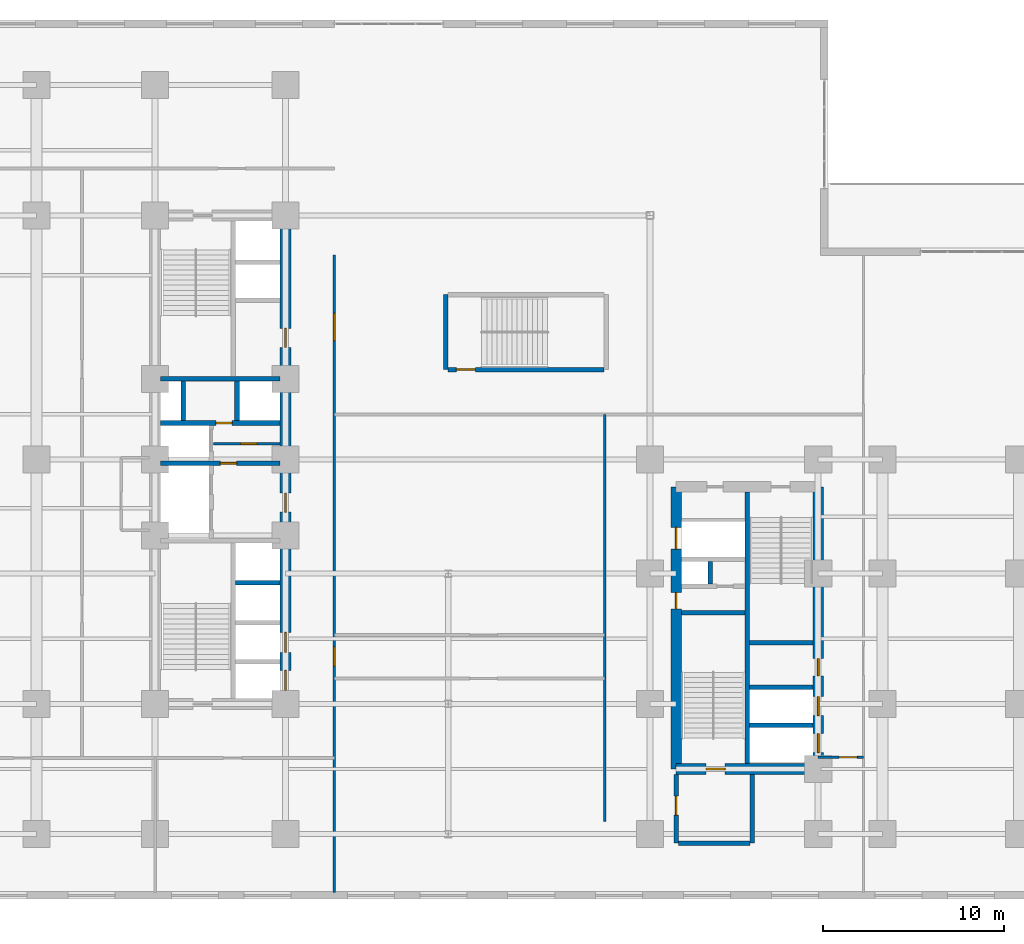
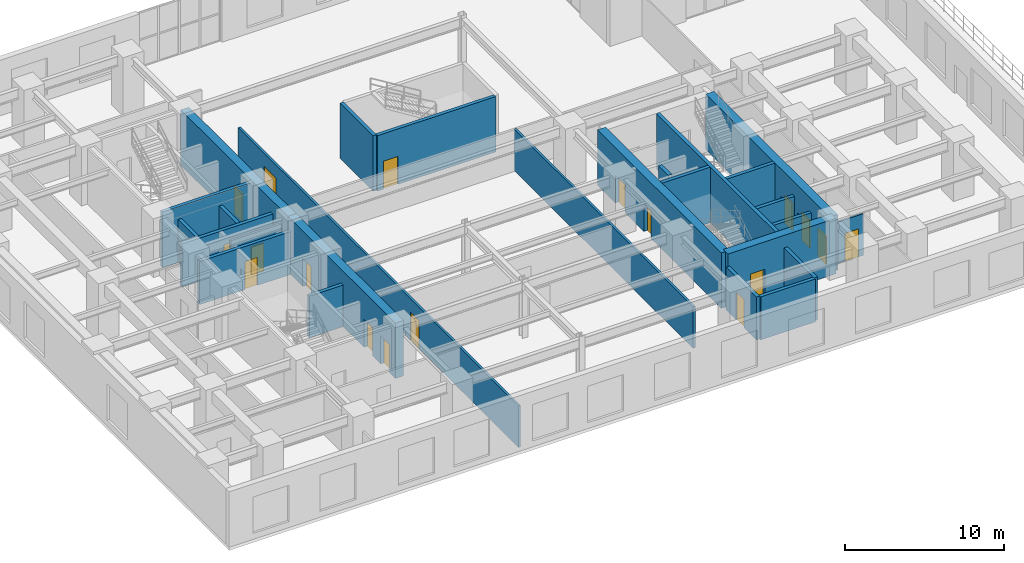
# One storey, part 9 of 15: 26 walls, 18 doors, 18 openings.
"""IFC4 building model written with IfcOpenShell, lengths in metres."""

from ifc_helpers import new_model, entity, si_unit, converted_unit, direction, frame, origin_with_axes, origin_2d_with_axis, place, context, subcontext, project, spatial, polyline, rectangle, outline, extrude, material, layer, layer_set, type_object, element, fill, save


model = new_model("IFC4")

# Units and contexts
model_context = context("Model", 3, precision=1e-05, world=origin_with_axes(), true_north=direction((0.0, 1.0)))
body_context = subcontext(model_context, "Body", "Model", "MODEL_VIEW")
ifc_project = project(units=[si_unit("LENGTHUNIT", "METRE"), si_unit("AREAUNIT", "SQUARE_METRE"), si_unit("VOLUMEUNIT", "CUBIC_METRE"), converted_unit("PLANEANGLEUNIT", "DEGREE", entity("IfcPlaneAngleMeasure", 0.017453292519943295), si_unit("PLANEANGLEUNIT", "RADIAN"), dimensions=[0, 0, 0, 0, 0, 0, 0]), si_unit("MASSUNIT", "GRAM", prefix="KILO"), si_unit("THERMODYNAMICTEMPERATUREUNIT", "KELVIN")], contexts=[model_context])

# Site, building, storey
site_placement = place(None, origin_with_axes())
site = spatial("IfcSite", under=ifc_project, at=site_placement, CompositionType="ELEMENT")
building_placement = place(site_placement, origin_with_axes())
building = spatial("IfcBuilding", under=site, at=building_placement, Name="Varnlund Millrace Tower", CompositionType="ELEMENT")
storey_placement = place(building_placement, frame((0.0, 0.0, 19.8), z_axis=(0.0, 0.0, 1.0), x_axis=(1.0, 0.0, 0.0)))
storey = spatial("IfcBuildingStorey", under=building, at=storey_placement, Name="L04", CompositionType="ELEMENT", Elevation=19.8)

# Wall, openings, doors
ifc_material_1 = material(Name="Concrete C80/95", Category="concrete")
ifc_layer_1 = layer(ifc_material_1, 0.6, Name="Concrete C80/95")
ifc_layer_set_1 = layer_set([ifc_layer_1], Name="Concrete C80/95")
wall_type_1 = type_object("IfcWallType", Name="Type-CoreWall-Shear-600-C80", PredefinedType="SHEAR", material=ifc_layer_set_1)
wall_1_placement = place(storey_placement, frame((18.6, 10.8, 0.0), z_axis=(0.0, 0.0, 1.0), x_axis=(0.0, 1.0, 0.0)))
wall_1 = element("IfcWall", 1, at=wall_1_placement, inside=storey, type_object=wall_type_1, Name="Type-CoreWall-Shear-600-C80", PredefinedType="SHEAR", context=body_context, shape_type="SweptSolid", body=[
    extrude(outline(polyline([(0.0, -0.3), (13.5, -0.3), (13.5, 0.3), (0.0, 0.3), (0.0, -0.3)])), origin_with_axes(), (0.0, 0.0, 1.0), 4.26),
])
opening_1_placement = place(wall_1_placement, frame((1.3, 0.0, 0.0), z_axis=(0.0, 0.0, 1.0), x_axis=(1.0, 0.0, 0.0)))
opening_1 = element("IfcOpeningElement", 2, at=opening_1_placement, cuts=wall_1, Name="Opening L04:LD-ELV-L1", PredefinedType="OPENING", context=body_context, shape_type="SweptSolid", body=[
    extrude(rectangle(XDim=1.1, YDim=0.62, at=origin_2d_with_axis()), origin_with_axes(), (0.0, 0.0, 1.0), 2.15),
])
opening_2_placement = place(wall_1_placement, frame((3.4, 0.0, 0.0), z_axis=(0.0, 0.0, 1.0), x_axis=(1.0, 0.0, 0.0)))
opening_2 = element("IfcOpeningElement", 3, at=opening_2_placement, cuts=wall_1, Name="Opening L04:LD-ELV-L2", PredefinedType="OPENING", context=body_context, shape_type="SweptSolid", body=[
    extrude(rectangle(XDim=1.1, YDim=0.62, at=origin_2d_with_axis()), origin_with_axes(), (0.0, 0.0, 1.0), 2.15),
])
opening_3_placement = place(wall_1_placement, frame((11.125, 0.0, 0.0), z_axis=(0.0, 0.0, 1.0), x_axis=(1.0, 0.0, 0.0)))
opening_3 = element("IfcOpeningElement", 4, at=opening_3_placement, cuts=wall_1, Name="Opening L04:DR-FFLOB-A", PredefinedType="OPENING", context=body_context, shape_type="SweptSolid", body=[
    extrude(rectangle(XDim=1.05, YDim=0.62, at=origin_2d_with_axis()), origin_with_axes(), (0.0, 0.0, 1.0), 2.15),
])
ifc_material_2 = material(Name="Smoke-barrier hollow steel fire door", Category="steel")
door_type_1 = type_object("IfcDoorType", Name="Type-FireDoor-Lobby-1050X2150", OperationType="NOTDEFINED", PredefinedType="DOOR", material=ifc_material_2)
door_1_placement = place(wall_1_placement, frame((11.125, 0.0, 0.0), z_axis=(0.0, 0.0, 1.0), x_axis=(1.0, 0.0, 0.0)))
door_1 = element("IfcDoor", 5, at=door_1_placement, inside=storey, type_object=door_type_1, Name="Type-FireDoor-Lobby-1050X2150", OperationType="SINGLE_SWING_LEFT", OverallHeight=2.15, OverallWidth=1.05, PredefinedType="DOOR", context=body_context, shape_type="SweptSolid", body=[
    extrude(rectangle(XDim=1.05, YDim=0.09, at=origin_2d_with_axis()), origin_with_axes(), (0.0, 0.0, 1.0), 2.15),
])
fill(opening_3, door_1)
ifc_material_3 = material(Name="Stainless and architectural bronze sliding landing door")
door_type_2 = type_object("IfcDoorType", Name="Type-LiftLandingDoor-1100X2150", OperationType="NOTDEFINED", PredefinedType="DOOR", material=ifc_material_3)
door_2_placement = place(wall_1_placement, frame((1.3, 0.0, 0.0), z_axis=(0.0, 0.0, 1.0), x_axis=(1.0, 0.0, 0.0)))
door_2 = element("IfcDoor", 6, at=door_2_placement, inside=storey, type_object=door_type_2, Name="Type-LiftLandingDoor-1100X2150", OperationType="SLIDING_TO_LEFT", OverallHeight=2.15, OverallWidth=1.1, PredefinedType="DOOR", context=body_context, shape_type="SweptSolid", body=[
    extrude(rectangle(XDim=1.1, YDim=0.09, at=origin_2d_with_axis()), origin_with_axes(), (0.0, 0.0, 1.0), 2.15),
])
fill(opening_1, door_2)
door_3_placement = place(wall_1_placement, frame((3.4, 0.0, 0.0), z_axis=(0.0, 0.0, 1.0), x_axis=(1.0, 0.0, 0.0)))
door_3 = element("IfcDoor", 7, at=door_3_placement, inside=storey, type_object=door_type_2, Name="Type-LiftLandingDoor-1100X2150", OperationType="SLIDING_TO_RIGHT", OverallHeight=2.15, OverallWidth=1.1, PredefinedType="DOOR", context=body_context, shape_type="SweptSolid", body=[
    extrude(rectangle(XDim=1.1, YDim=0.09, at=origin_2d_with_axis()), origin_with_axes(), (0.0, 0.0, 1.0), 2.15),
])
fill(opening_2, door_3)

# Wall, opening, door
wall_2_placement = place(storey_placement, frame((18.6, 24.3, 0.0), z_axis=(0.0, 0.0, 1.0), x_axis=(0.0, 1.0, 0.0)))
wall_2 = element("IfcWall", 8, at=wall_2_placement, inside=storey, type_object=wall_type_1, Name="Type-CoreWall-Shear-600-C80", PredefinedType="SHEAR", context=body_context, shape_type="SweptSolid", body=[
    extrude(outline(polyline([(0.0, -0.3), (13.5, -0.3), (13.5, 0.3), (0.0, 0.3), (0.0, -0.3)])), origin_with_axes(), (0.0, 0.0, 1.0), 4.26),
])
opening_4_placement = place(wall_2_placement, frame((6.725, 0.0, 0.0), z_axis=(0.0, 0.0, 1.0), x_axis=(1.0, 0.0, 0.0)))
opening_4 = element("IfcOpeningElement", 9, at=opening_4_placement, cuts=wall_2, Name="Opening L04:DR-CA-WC1", PredefinedType="OPENING", context=body_context, shape_type="SweptSolid", body=[
    extrude(rectangle(XDim=1.05, YDim=0.62, at=origin_2d_with_axis()), origin_with_axes(), (0.0, 0.0, 1.0), 2.15),
])
door_4_placement = place(wall_2_placement, frame((6.725, 0.0, 0.0), z_axis=(0.0, 0.0, 1.0), x_axis=(1.0, 0.0, 0.0)))
door_4 = element("IfcDoor", 10, at=door_4_placement, inside=storey, type_object=door_type_1, Name="Type-FireDoor-Lobby-1050X2150", OperationType="SINGLE_SWING_LEFT", OverallHeight=2.15, OverallWidth=1.05, PredefinedType="DOOR", context=body_context, shape_type="SweptSolid", body=[
    extrude(rectangle(XDim=1.05, YDim=0.09, at=origin_2d_with_axis()), origin_with_axes(), (0.0, 0.0, 1.0), 2.15),
])
fill(opening_4, door_4)

# Wall, openings, doors
wall_3_placement = place(storey_placement, frame((40.2, 7.2, 0.0), z_axis=(0.0, 0.0, 1.0), x_axis=(0.0, 1.0, 0.0)))
wall_3 = element("IfcWall", 11, at=wall_3_placement, inside=storey, type_object=wall_type_1, Name="Type-CoreWall-Shear-600-C80", PredefinedType="SHEAR", context=body_context, shape_type="SweptSolid", body=[
    extrude(outline(polyline([(0.0, -0.3), (15.6, -0.3), (15.6, 0.3), (0.0, 0.3), (0.0, -0.3)])), origin_with_axes(), (0.0, 0.0, 1.0), 4.26),
])
opening_5_placement = place(wall_3_placement, frame((12.75, 0.0, 0.0), z_axis=(0.0, 0.0, 1.0), x_axis=(1.0, 0.0, 0.0)))
opening_5 = element("IfcOpeningElement", 12, at=opening_5_placement, cuts=wall_3, Name="Opening L04:LD-SRV2", PredefinedType="OPENING", context=body_context, shape_type="SweptSolid", body=[
    extrude(rectangle(XDim=1.2, YDim=0.62, at=origin_2d_with_axis()), origin_with_axes(), (0.0, 0.0, 1.0), 2.15),
])
opening_6_placement = place(wall_3_placement, frame((9.3, 0.0, 0.0), z_axis=(0.0, 0.0, 1.0), x_axis=(1.0, 0.0, 0.0)))
opening_6 = element("IfcOpeningElement", 13, at=opening_6_placement, cuts=wall_3, Name="Opening L04:DR-CB-JAN", PredefinedType="OPENING", context=body_context, shape_type="SweptSolid", body=[
    extrude(rectangle(XDim=0.9, YDim=0.62, at=origin_2d_with_axis()), origin_with_axes(), (0.0, 0.0, 1.0), 2.15),
])
ifc_material_4 = material(Name="Fire-rated hollow steel service closet door", Category="steel")
door_type_3 = type_object("IfcDoorType", Name="Type-FireDoor-Closet-900X2150", OperationType="NOTDEFINED", PredefinedType="DOOR", material=ifc_material_4)
door_5_placement = place(wall_3_placement, frame((9.3, 0.0, 0.0), z_axis=(0.0, 0.0, 1.0), x_axis=(1.0, 0.0, 0.0)))
door_5 = element("IfcDoor", 14, at=door_5_placement, inside=storey, type_object=door_type_3, Name="Type-FireDoor-Closet-900X2150", OperationType="SINGLE_SWING_RIGHT", OverallHeight=2.15, OverallWidth=0.9, PredefinedType="DOOR", context=body_context, shape_type="SweptSolid", body=[
    extrude(rectangle(XDim=0.9, YDim=0.09, at=origin_2d_with_axis()), origin_with_axes(), (0.0, 0.0, 1.0), 2.15),
])
fill(opening_6, door_5)
ifc_material_5 = material(Name="Heavy-duty freight sliding landing door")
door_type_4 = type_object("IfcDoorType", Name="Type-LiftLandingDoor-Service-1200X2150", OperationType="NOTDEFINED", PredefinedType="DOOR", material=ifc_material_5)
door_6_placement = place(wall_3_placement, frame((12.75, 0.0, 0.0), z_axis=(0.0, 0.0, 1.0), x_axis=(1.0, 0.0, 0.0)))
door_6 = element("IfcDoor", 15, at=door_6_placement, inside=storey, type_object=door_type_4, Name="Type-LiftLandingDoor-Service-1200X2150", OperationType="DOUBLE_DOOR_SLIDING", OverallHeight=2.15, OverallWidth=1.2, PredefinedType="DOOR", context=body_context, shape_type="SweptSolid", body=[
    extrude(rectangle(XDim=1.2, YDim=0.09, at=origin_2d_with_axis()), origin_with_axes(), (0.0, 0.0, 1.0), 2.15),
])
fill(opening_5, door_6)

# Wall, opening, door
wall_4_placement = place(storey_placement, frame((40.2, 7.2, 0.0), z_axis=(0.0, 0.0, 1.0), x_axis=(1.0, 0.0, 0.0)))
wall_4 = element("IfcWall", 16, at=wall_4_placement, inside=storey, type_object=wall_type_1, Name="Type-CoreWall-Shear-600-C80", PredefinedType="SHEAR", context=body_context, shape_type="SweptSolid", body=[
    extrude(outline(polyline([(0.0, -0.3), (7.85, -0.3), (7.85, 0.3), (0.0, 0.3), (0.0, -0.3)])), origin_with_axes(), (0.0, 0.0, 1.0), 4.26),
])
opening_7_placement = place(wall_4_placement, frame((2.175, 0.0, 0.0), z_axis=(0.0, 0.0, 1.0), x_axis=(1.0, 0.0, 0.0)))
opening_7 = element("IfcOpeningElement", 17, at=opening_7_placement, cuts=wall_4, Name="Opening L04:DR-STB1", PredefinedType="OPENING", context=body_context, shape_type="SweptSolid", body=[
    extrude(rectangle(XDim=1.05, YDim=0.62, at=origin_2d_with_axis()), origin_with_axes(), (0.0, 0.0, 1.0), 2.15),
])
ifc_material_6 = material(Name="Fire-rated hollow steel door", Category="steel")
door_type_5 = type_object("IfcDoorType", Name="Type-FireDoor-Stair-1050X2150", OperationType="NOTDEFINED", PredefinedType="DOOR", material=ifc_material_6)
door_7_placement = place(wall_4_placement, frame((2.175, 0.0, 0.0), z_axis=(0.0, 0.0, 1.0), x_axis=(1.0, 0.0, 0.0)))
door_7 = element("IfcDoor", 18, at=door_7_placement, inside=storey, type_object=door_type_5, Name="Type-FireDoor-Stair-1050X2150", OperationType="SINGLE_SWING_LEFT", OverallHeight=2.15, OverallWidth=1.05, PredefinedType="DOOR", context=body_context, shape_type="SweptSolid", body=[
    extrude(rectangle(XDim=1.05, YDim=0.09, at=origin_2d_with_axis()), origin_with_axes(), (0.0, 0.0, 1.0), 2.15),
])
fill(opening_7, door_7)

# Wall, openings, doors
wall_5_placement = place(storey_placement, frame((48.05, 7.2, 0.0), z_axis=(0.0, 0.0, 1.0), x_axis=(0.0, 1.0, 0.0)))
wall_5 = element("IfcWall", 19, at=wall_5_placement, inside=storey, type_object=wall_type_1, Name="Type-CoreWall-Shear-600-C80", PredefinedType="SHEAR", context=body_context, shape_type="SweptSolid", body=[
    extrude(outline(polyline([(0.0, -0.3), (15.6, -0.3), (15.6, 0.3), (0.0, 0.3), (0.0, -0.3)])), origin_with_axes(), (0.0, 0.0, 1.0), 4.26),
])
opening_8_placement = place(wall_5_placement, frame((1.425, 0.0, 0.0), z_axis=(0.0, 0.0, 1.0), x_axis=(1.0, 0.0, 0.0)))
opening_8 = element("IfcOpeningElement", 20, at=opening_8_placement, cuts=wall_5, Name="Opening L04:LD-ELV-L3", PredefinedType="OPENING", context=body_context, shape_type="SweptSolid", body=[
    extrude(rectangle(XDim=1.05, YDim=0.62, at=origin_2d_with_axis()), origin_with_axes(), (0.0, 0.0, 1.0), 2.15),
])
opening_9_placement = place(wall_5_placement, frame((3.475, 0.0, 0.0), z_axis=(0.0, 0.0, 1.0), x_axis=(1.0, 0.0, 0.0)))
opening_9 = element("IfcOpeningElement", 21, at=opening_9_placement, cuts=wall_5, Name="Opening L04:LD-ELV-L4", PredefinedType="OPENING", context=body_context, shape_type="SweptSolid", body=[
    extrude(rectangle(XDim=1.05, YDim=0.62, at=origin_2d_with_axis()), origin_with_axes(), (0.0, 0.0, 1.0), 2.15),
])
opening_10_placement = place(wall_5_placement, frame((5.625, 0.0, 0.0), z_axis=(0.0, 0.0, 1.0), x_axis=(1.0, 0.0, 0.0)))
opening_10 = element("IfcOpeningElement", 22, at=opening_10_placement, cuts=wall_5, Name="Opening L04:DR-CB-WC", PredefinedType="OPENING", context=body_context, shape_type="SweptSolid", body=[
    extrude(rectangle(XDim=0.95, YDim=0.62, at=origin_2d_with_axis()), origin_with_axes(), (0.0, 0.0, 1.0), 2.15),
])
ifc_material_7 = material(Name="Fire-rated hollow steel core service door", Category="steel")
door_type_6 = type_object("IfcDoorType", Name="Type-FireDoor-Service-950X2150", OperationType="NOTDEFINED", PredefinedType="DOOR", material=ifc_material_7)
door_8_placement = place(wall_5_placement, frame((5.625, 0.0, 0.0), z_axis=(0.0, 0.0, 1.0), x_axis=(1.0, 0.0, 0.0)))
door_8 = element("IfcDoor", 23, at=door_8_placement, inside=storey, type_object=door_type_6, Name="Type-FireDoor-Service-950X2150", OperationType="SINGLE_SWING_LEFT", OverallHeight=2.15, OverallWidth=0.95, PredefinedType="DOOR", context=body_context, shape_type="SweptSolid", body=[
    extrude(rectangle(XDim=0.95, YDim=0.09, at=origin_2d_with_axis()), origin_with_axes(), (0.0, 0.0, 1.0), 2.15),
])
fill(opening_10, door_8)
ifc_material_8 = material(Name="Architectural bronze sliding landing door")
door_type_7 = type_object("IfcDoorType", Name="Type-LiftLandingDoor-Compact-1050X2150", OperationType="NOTDEFINED", PredefinedType="DOOR", material=ifc_material_8)
door_9_placement = place(wall_5_placement, frame((1.425, 0.0, 0.0), z_axis=(0.0, 0.0, 1.0), x_axis=(1.0, 0.0, 0.0)))
door_9 = element("IfcDoor", 24, at=door_9_placement, inside=storey, type_object=door_type_7, Name="Type-LiftLandingDoor-Compact-1050X2150", OperationType="SLIDING_TO_LEFT", OverallHeight=2.15, OverallWidth=1.05, PredefinedType="DOOR", context=body_context, shape_type="SweptSolid", body=[
    extrude(rectangle(XDim=1.05, YDim=0.09, at=origin_2d_with_axis()), origin_with_axes(), (0.0, 0.0, 1.0), 2.15),
])
fill(opening_8, door_9)
door_10_placement = place(wall_5_placement, frame((3.475, 0.0, 0.0), z_axis=(0.0, 0.0, 1.0), x_axis=(1.0, 0.0, 0.0)))
door_10 = element("IfcDoor", 25, at=door_10_placement, inside=storey, type_object=door_type_7, Name="Type-LiftLandingDoor-Compact-1050X2150", OperationType="SLIDING_TO_RIGHT", OverallHeight=2.15, OverallWidth=1.05, PredefinedType="DOOR", context=body_context, shape_type="SweptSolid", body=[
    extrude(rectangle(XDim=1.05, YDim=0.09, at=origin_2d_with_axis()), origin_with_axes(), (0.0, 0.0, 1.0), 2.15),
])
fill(opening_9, door_10)

# Wall, opening, door
ifc_material_9 = material(Name="Fire-rated gypsum board on cold-formed steel framing", Category="steel")
ifc_layer_2 = layer(ifc_material_9, 0.16, Name="Fire-rated gypsum board on cold-formed steel framing")
ifc_layer_set_2 = layer_set([ifc_layer_2], Name="Fire-rated gypsum board on cold-formed steel framing")
wall_type_2 = type_object("IfcWallType", Name="Type-Partition-Corridor-160", PredefinedType="PARTITIONING", material=ifc_layer_set_2)
wall_6_placement = place(storey_placement, frame((14.62, 25.18, 0.0), z_axis=(0.0, 0.0, 1.0), x_axis=(1.0, 0.0, 0.0)))
wall_6 = element("IfcWall", 26, at=wall_6_placement, inside=storey, type_object=wall_type_2, Name="Type-Partition-Corridor-160", PredefinedType="PARTITIONING", context=body_context, shape_type="SweptSolid", body=[
    extrude(outline(polyline([(0.0, -0.08), (3.68, -0.08), (3.68, 0.08), (0.0, 0.08), (0.0, -0.08)])), origin_with_axes(), (0.0, 0.0, 1.0), 3.2),
])
opening_11_placement = place(wall_6_placement, frame((1.95, 0.0, 0.0), z_axis=(0.0, 0.0, 1.0), x_axis=(1.0, 0.0, 0.0)))
opening_11 = element("IfcOpeningElement", 27, at=opening_11_placement, cuts=wall_6, Name="Opening L04:DR-CA-SUB2", PredefinedType="OPENING", context=body_context, shape_type="SweptSolid", body=[
    extrude(rectangle(XDim=0.9, YDim=0.18, at=origin_2d_with_axis()), origin_with_axes(), (0.0, 0.0, 1.0), 2.15),
])
ifc_material_10 = material(Name="Painted steel riser and closet door", Category="steel")
door_type_8 = type_object("IfcDoorType", Name="Type-IntDoor-Closet-900X2150", OperationType="NOTDEFINED", PredefinedType="DOOR", material=ifc_material_10)
door_11_placement = place(wall_6_placement, frame((1.95, 0.0, 0.0), z_axis=(0.0, 0.0, 1.0), x_axis=(1.0, 0.0, 0.0)))
door_11 = element("IfcDoor", 28, at=door_11_placement, inside=storey, type_object=door_type_8, Name="Type-IntDoor-Closet-900X2150", OperationType="SINGLE_SWING_LEFT", OverallHeight=2.15, OverallWidth=0.9, PredefinedType="DOOR", context=body_context, shape_type="SweptSolid", body=[
    extrude(rectangle(XDim=0.9, YDim=0.09, at=origin_2d_with_axis()), origin_with_axes(), (0.0, 0.0, 1.0), 2.15),
])
fill(opening_11, door_11)

# Wall, openings, doors
wall_7_placement = place(storey_placement, frame((21.3, 0.38, 0.0), z_axis=(0.0, 0.0, 1.0), x_axis=(0.0, 1.0, 0.0)))
wall_7 = element("IfcWall", 29, at=wall_7_placement, inside=storey, type_object=wall_type_2, Name="Type-Partition-Corridor-160", PredefinedType="PARTITIONING", context=body_context, shape_type="SweptSolid", body=[
    extrude(outline(polyline([(0.0, -0.08), (35.24, -0.08), (35.24, 0.08), (0.0, 0.08), (0.0, -0.08)])), origin_with_axes(), (0.0, 0.0, 1.0), 3.2),
])
opening_12_placement = place(wall_7_placement, frame((13.025, 0.0, 0.0), z_axis=(0.0, 0.0, 1.0), x_axis=(1.0, 0.0, 0.0)))
opening_12 = element("IfcOpeningElement", 30, at=opening_12_placement, cuts=wall_7, Name="Opening L04:DR-POD-BC", PredefinedType="OPENING", context=body_context, shape_type="SweptSolid", body=[
    extrude(rectangle(XDim=1.05, YDim=0.18, at=origin_2d_with_axis()), origin_with_axes(), (0.0, 0.0, 1.0), 2.15),
])
opening_13_placement = place(wall_7_placement, frame((31.25, 0.0, 0.0), z_axis=(0.0, 0.0, 1.0), x_axis=(1.0, 0.0, 0.0)))
opening_13 = element("IfcOpeningElement", 31, at=opening_13_placement, cuts=wall_7, Name="Opening L04:DR-POD-E2", PredefinedType="OPENING", context=body_context, shape_type="SweptSolid", body=[
    extrude(rectangle(XDim=1.5, YDim=0.18, at=origin_2d_with_axis()), origin_with_axes(), (0.0, 0.0, 1.0), 2.2),
])
door_12_placement = place(wall_7_placement, frame((13.025, 0.0, 0.0), z_axis=(0.0, 0.0, 1.0), x_axis=(1.0, 0.0, 0.0)))
door_12 = element("IfcDoor", 32, at=door_12_placement, inside=storey, type_object=door_type_1, Name="Type-FireDoor-Lobby-1050X2150", OperationType="SINGLE_SWING_LEFT", OverallHeight=2.15, OverallWidth=1.05, PredefinedType="DOOR", context=body_context, shape_type="SweptSolid", body=[
    extrude(rectangle(XDim=1.05, YDim=0.09, at=origin_2d_with_axis()), origin_with_axes(), (0.0, 0.0, 1.0), 2.15),
])
fill(opening_12, door_12)
ifc_material_11 = material(Name="Architectural bronze and acoustic glass double door", Category="glass")
door_type_9 = type_object("IfcDoorType", Name="Type-IntDoor-SuitePair-1500X2200", OperationType="NOTDEFINED", PredefinedType="DOOR", material=ifc_material_11)
door_13_placement = place(wall_7_placement, frame((31.25, 0.0, 0.0), z_axis=(0.0, 0.0, 1.0), x_axis=(1.0, 0.0, 0.0)))
door_13 = element("IfcDoor", 33, at=door_13_placement, inside=storey, type_object=door_type_9, Name="Type-IntDoor-SuitePair-1500X2200", OperationType="DOUBLE_DOOR_SINGLE_SWING", OverallHeight=2.2, OverallWidth=1.5, PredefinedType="DOOR", context=body_context, shape_type="SweptSolid", body=[
    extrude(rectangle(XDim=1.5, YDim=0.09, at=origin_2d_with_axis()), origin_with_axes(), (0.0, 0.0, 1.0), 2.2),
])
fill(opening_13, door_13)

# Wall
wall_8_placement = place(storey_placement, frame((36.25, 4.3, 0.0), z_axis=(0.0, 0.0, 1.0), x_axis=(0.0, 1.0, 0.0)))
element("IfcWall", 34, at=wall_8_placement, inside=storey, type_object=wall_type_2, Name="Type-Partition-Corridor-160", PredefinedType="PARTITIONING", context=body_context, shape_type="SweptSolid", body=[
    extrude(outline(polyline([(0.0, -0.08), (22.5, -0.08), (22.5, 0.08), (0.0, 0.08), (0.0, -0.08)])), origin_with_axes(), (0.0, 0.0, 1.0), 3.2),
])

# Wall, opening, door
ifc_material_12 = material(Name="Gypsum board tenant partition", Category="gypsum")
ifc_layer_3 = layer(ifc_material_12, 0.125, Name="Gypsum board tenant partition")
ifc_layer_set_3 = layer_set([ifc_layer_3], Name="Gypsum board tenant partition")
wall_type_3 = type_object("IfcWallType", Name="Type-Partition-Tenant-125", PredefinedType="PARTITIONING", material=ifc_layer_set_3)
wall_9_placement = place(storey_placement, frame((48.05, 7.85, 0.0), z_axis=(0.0, 0.0, 1.0), x_axis=(1.0, 0.0, 0.0)))
wall_9 = element("IfcWall", 35, at=wall_9_placement, inside=storey, type_object=wall_type_3, Name="Type-Partition-Tenant-125", PredefinedType="PARTITIONING", context=body_context, shape_type="SweptSolid", body=[
    extrude(outline(polyline([(0.0, -0.0625), (2.5, -0.0625), (2.5, 0.0625), (0.0, 0.0625), (0.0, -0.0625)])), origin_with_axes(), (0.0, 0.0, 1.0), 3.2),
])
opening_14_placement = place(wall_9_placement, frame((1.65, 0.0, 0.0), z_axis=(0.0, 0.0, 1.0), x_axis=(1.0, 0.0, 0.0)))
opening_14 = element("IfcOpeningElement", 36, at=opening_14_placement, cuts=wall_9, Name="Opening L04:DR-POD-BSR", PredefinedType="OPENING", context=body_context, shape_type="SweptSolid", body=[
    extrude(rectangle(XDim=1.0, YDim=0.145, at=origin_2d_with_axis()), origin_with_axes(), (0.0, 0.0, 1.0), 2.15),
])
ifc_material_13 = material(Name="Solid-core white oak and bronze frame door")
door_type_10 = type_object("IfcDoorType", Name="Type-IntDoor-Office-1000X2150", OperationType="NOTDEFINED", PredefinedType="DOOR", material=ifc_material_13)
door_14_placement = place(wall_9_placement, frame((1.65, 0.0, 0.0), z_axis=(0.0, 0.0, 1.0), x_axis=(1.0, 0.0, 0.0)))
door_14 = element("IfcDoor", 37, at=door_14_placement, inside=storey, type_object=door_type_10, Name="Type-IntDoor-Office-1000X2150", OperationType="SINGLE_SWING_LEFT", OverallHeight=2.15, OverallWidth=1.0, PredefinedType="DOOR", context=body_context, shape_type="SweptSolid", body=[
    extrude(rectangle(XDim=1.0, YDim=0.075, at=origin_2d_with_axis()), origin_with_axes(), (0.0, 0.0, 1.0), 2.15),
])
fill(opening_14, door_14)

ifc_material_14 = material(Name="Concrete C60/75", Category="concrete")
ifc_layer_4 = layer(ifc_material_14, 0.25, Name="Concrete C60/75")
ifc_layer_set_4 = layer_set([ifc_layer_4], Name="Concrete C60/75")
wall_type_4 = type_object("IfcWallType", Name="Type-ShaftWall-Fire-250", PredefinedType="SOLIDWALL", material=ifc_layer_set_4)
wall_10_placement = place(storey_placement, frame((11.7, 24.1, 0.0), z_axis=(0.0, 0.0, 1.0), x_axis=(1.0, 0.0, 0.0)))
wall_10 = element("IfcWall", 38, at=wall_10_placement, inside=storey, type_object=wall_type_4, Name="Type-ShaftWall-Fire-250", PredefinedType="SOLIDWALL", context=body_context, shape_type="SweptSolid", body=[
    extrude(outline(polyline([(0.0, -0.125), (6.6, -0.125), (6.6, 0.125), (0.0, 0.125), (0.0, -0.125)])), origin_with_axes(), (0.0, 0.0, 1.0), 3.3),
])
opening_15_placement = place(wall_10_placement, frame((3.75, 0.0, 0.0), z_axis=(0.0, 0.0, 1.0), x_axis=(1.0, 0.0, 0.0)))
opening_15 = element("IfcOpeningElement", 39, at=opening_15_placement, cuts=wall_10, Name="Opening L04:DR-CA-SUB1", PredefinedType="OPENING", context=body_context, shape_type="SweptSolid", body=[
    extrude(rectangle(XDim=0.9, YDim=0.27, at=origin_2d_with_axis()), origin_with_axes(), (0.0, 0.0, 1.0), 2.15),
])
door_15_placement = place(wall_10_placement, frame((3.75, 0.0, 0.0), z_axis=(0.0, 0.0, 1.0), x_axis=(1.0, 0.0, 0.0)))
door_15 = element("IfcDoor", 40, at=door_15_placement, inside=storey, type_object=door_type_3, Name="Type-FireDoor-Closet-900X2150", OperationType="SINGLE_SWING_LEFT", OverallHeight=2.15, OverallWidth=0.9, PredefinedType="DOOR", context=body_context, shape_type="SweptSolid", body=[
    extrude(rectangle(XDim=0.9, YDim=0.09, at=origin_2d_with_axis()), origin_with_axes(), (0.0, 0.0, 1.0), 2.15),
])
fill(opening_15, door_15)

wall_11_placement = place(storey_placement, frame((11.7, 26.325, 0.0), z_axis=(0.0, 0.0, 1.0), x_axis=(1.0, 0.0, 0.0)))
wall_11 = element("IfcWall", 41, at=wall_11_placement, inside=storey, type_object=wall_type_4, Name="Type-ShaftWall-Fire-250", PredefinedType="SOLIDWALL", context=body_context, shape_type="SweptSolid", body=[
    extrude(outline(polyline([(0.0, -0.125), (6.6, -0.125), (6.6, 0.125), (0.0, 0.125), (0.0, -0.125)])), origin_with_axes(), (0.0, 0.0, 1.0), 3.3),
])
opening_16_placement = place(wall_11_placement, frame((3.5, 0.0, 0.0), z_axis=(0.0, 0.0, 1.0), x_axis=(1.0, 0.0, 0.0)))
opening_16 = element("IfcOpeningElement", 42, at=opening_16_placement, cuts=wall_11, Name="Opening L04:DR-CA-ELC", PredefinedType="OPENING", context=body_context, shape_type="SweptSolid", body=[
    extrude(rectangle(XDim=0.9, YDim=0.27, at=origin_2d_with_axis()), origin_with_axes(), (0.0, 0.0, 1.0), 2.15),
])
door_16_placement = place(wall_11_placement, frame((3.5, 0.0, 0.0), z_axis=(0.0, 0.0, 1.0), x_axis=(1.0, 0.0, 0.0)))
door_16 = element("IfcDoor", 43, at=door_16_placement, inside=storey, type_object=door_type_3, Name="Type-FireDoor-Closet-900X2150", OperationType="SINGLE_SWING_LEFT", OverallHeight=2.15, OverallWidth=0.9, PredefinedType="DOOR", context=body_context, shape_type="SweptSolid", body=[
    extrude(rectangle(XDim=0.9, YDim=0.09, at=origin_2d_with_axis()), origin_with_axes(), (0.0, 0.0, 1.0), 2.15),
])
fill(opening_16, door_16)

# Walls
for number, where, z_axis, x_axis, name in (
    (44, (12.96, 26.45, 0.0), (0.0, 0.0, 1.0), (0.0, 1.0, 0.0), "Type-ShaftWall-Fire-250"),
    (45, (15.925, 26.45, 0.0), (0.0, 0.0, 1.0), (0.0, 1.0, 0.0), "Type-ShaftWall-Fire-250"),
):
    element("IfcWall", number, at=place(storey_placement, frame(where, z_axis=z_axis, x_axis=x_axis)), inside=storey, type_object=wall_type_4, Name=name, PredefinedType="SOLIDWALL", context=body_context, shape_type="SweptSolid", body=[
        extrude(outline(polyline([(0.0, -0.125), (2.2, -0.125), (2.2, 0.125), (0.0, 0.125), (0.0, -0.125)])), origin_with_axes(), (0.0, 0.0, 1.0), 3.3),
    ])
wall_12_placement = place(storey_placement, frame((42.075, 17.43, 0.0), z_axis=(0.0, 0.0, 1.0), x_axis=(0.0, 1.0, 0.0)))
element("IfcWall", 46, at=wall_12_placement, inside=storey, type_object=wall_type_4, Name="Type-ShaftWall-Fire-250", PredefinedType="SOLIDWALL", context=body_context, shape_type="SweptSolid", body=[
    extrude(outline(polyline([(0.0, -0.125), (1.24, -0.125), (1.24, 0.125), (0.0, 0.125), (0.0, -0.125)])), origin_with_axes(), (0.0, 0.0, 1.0), 3.3),
])

# Wall, opening, door
wall_13_placement = place(storey_placement, frame((40.2, 3.1, 0.0), z_axis=(0.0, 0.0, 1.0), x_axis=(0.0, 1.0, 0.0)))
wall_13 = element("IfcWall", 47, at=wall_13_placement, inside=storey, type_object=wall_type_4, Name="Type-ShaftWall-Fire-250", PredefinedType="SOLIDWALL", context=body_context, shape_type="SweptSolid", body=[
    extrude(outline(polyline([(0.0, -0.125), (3.8, -0.125), (3.8, 0.125), (0.0, 0.125), (0.0, -0.125)])), origin_with_axes(), (0.0, 0.0, 1.0), 3.3),
])
opening_17_placement = place(wall_13_placement, frame((2.075, 0.0, 0.0), z_axis=(0.0, 0.0, 1.0), x_axis=(1.0, 0.0, 0.0)))
opening_17 = element("IfcOpeningElement", 48, at=opening_17_placement, cuts=wall_13, Name="Opening L04:DR-FFLOB-B", PredefinedType="OPENING", context=body_context, shape_type="SweptSolid", body=[
    extrude(rectangle(XDim=1.05, YDim=0.27, at=origin_2d_with_axis()), origin_with_axes(), (0.0, 0.0, 1.0), 2.15),
])
door_17_placement = place(wall_13_placement, frame((2.075, 0.0, 0.0), z_axis=(0.0, 0.0, 1.0), x_axis=(1.0, 0.0, 0.0)))
door_17 = element("IfcDoor", 49, at=door_17_placement, inside=storey, type_object=door_type_1, Name="Type-FireDoor-Lobby-1050X2150", OperationType="SINGLE_SWING_LEFT", OverallHeight=2.15, OverallWidth=1.05, PredefinedType="DOOR", context=body_context, shape_type="SweptSolid", body=[
    extrude(rectangle(XDim=1.05, YDim=0.09, at=origin_2d_with_axis()), origin_with_axes(), (0.0, 0.0, 1.0), 2.15),
])
fill(opening_17, door_17)

# Walls
wall_14_placement = place(storey_placement, frame((40.325, 3.1, 0.0), z_axis=(0.0, 0.0, 1.0), x_axis=(1.0, 0.0, 0.0)))
element("IfcWall", 50, at=wall_14_placement, inside=storey, type_object=wall_type_4, Name="Type-ShaftWall-Fire-250", PredefinedType="SOLIDWALL", context=body_context, shape_type="SweptSolid", body=[
    extrude(outline(polyline([(0.0, -0.125), (3.95, -0.125), (3.95, 0.125), (0.0, 0.125), (0.0, -0.125)])), origin_with_axes(), (0.0, 0.0, 1.0), 3.3),
])
wall_15_placement = place(storey_placement, frame((44.4, 3.1, 0.0), z_axis=(0.0, 0.0, 1.0), x_axis=(0.0, 1.0, 0.0)))
element("IfcWall", 51, at=wall_15_placement, inside=storey, type_object=wall_type_4, Name="Type-ShaftWall-Fire-250", PredefinedType="SOLIDWALL", context=body_context, shape_type="SweptSolid", body=[
    extrude(outline(polyline([(0.0, -0.125), (3.8, -0.125), (3.8, 0.125), (0.0, 0.125), (0.0, -0.125)])), origin_with_axes(), (0.0, 0.0, 1.0), 3.3),
])
wall_16_placement = place(storey_placement, frame((15.84, 17.49, 0.0), z_axis=(0.0, 0.0, 1.0), x_axis=(1.0, 0.0, 0.0)))
element("IfcWall", 52, at=wall_16_placement, inside=storey, type_object=wall_type_4, Name="Type-ShaftWall-Fire-250", PredefinedType="SOLIDWALL", context=body_context, shape_type="SweptSolid", body=[
    extrude(outline(polyline([(0.0, -0.125), (2.46, -0.125), (2.46, 0.125), (0.0, 0.125), (0.0, -0.125)])), origin_with_axes(), (0.0, 0.0, 1.0), 3.2),
])
for number, where, z_axis, x_axis, name in (
    (53, (44.25, 9.62, 0.0), (0.0, 0.0, 1.0), (1.0, 0.0, 0.0), "Type-ShaftWall-Fire-250"),
    (54, (44.25, 11.72, 0.0), (0.0, 0.0, 1.0), (1.0, 0.0, 0.0), "Type-ShaftWall-Fire-250"),
):
    element("IfcWall", number, at=place(storey_placement, frame(where, z_axis=z_axis, x_axis=x_axis)), inside=storey, type_object=wall_type_4, Name=name, PredefinedType="SOLIDWALL", context=body_context, shape_type="SweptSolid", body=[
        extrude(outline(polyline([(0.0, -0.125), (3.5, -0.125), (3.5, 0.125), (0.0, 0.125), (0.0, -0.125)])), origin_with_axes(), (0.0, 0.0, 1.0), 3.2),
    ])
wall_type_5 = type_object("IfcWallType", Name="Type-StairWall-Shear-250", PredefinedType="SHEAR", material=ifc_layer_set_4)
wall_17_placement = place(storey_placement, frame((11.7, 28.775, 0.0), z_axis=(0.0, 0.0, 1.0), x_axis=(1.0, 0.0, 0.0)))
element("IfcWall", 55, at=wall_17_placement, inside=storey, type_object=wall_type_5, Name="Type-StairWall-Shear-250", PredefinedType="SHEAR", context=body_context, shape_type="SweptSolid", body=[
    extrude(outline(polyline([(0.0, -0.125), (6.6, -0.125), (6.6, 0.125), (0.0, 0.125), (0.0, -0.125)])), origin_with_axes(), (0.0, 0.0, 1.0), 4.26),
])
wall_18_placement = place(storey_placement, frame((44.125, 7.5, 0.0), z_axis=(0.0, 0.0, 1.0), x_axis=(0.0, 1.0, 0.0)))
element("IfcWall", 56, at=wall_18_placement, inside=storey, type_object=wall_type_5, Name="Type-StairWall-Shear-250", PredefinedType="SHEAR", context=body_context, shape_type="SweptSolid", body=[
    extrude(outline(polyline([(0.0, -0.125), (15.0, -0.125), (15.0, 0.125), (0.0, 0.125), (0.0, -0.125)])), origin_with_axes(), (0.0, 0.0, 1.0), 4.26),
])
for number, where, z_axis, x_axis, name in (
    (57, (40.5, 15.825, 0.0), (0.0, 0.0, 1.0), (1.0, 0.0, 0.0), "Type-StairWall-Shear-250"),
    (58, (44.25, 14.175, 0.0), (0.0, 0.0, 1.0), (1.0, 0.0, 0.0), "Type-StairWall-Shear-250"),
):
    element("IfcWall", number, at=place(storey_placement, frame(where, z_axis=z_axis, x_axis=x_axis)), inside=storey, type_object=wall_type_5, Name=name, PredefinedType="SHEAR", context=body_context, shape_type="SweptSolid", body=[
        extrude(outline(polyline([(0.0, -0.125), (3.5, -0.125), (3.5, 0.125), (0.0, 0.125), (0.0, -0.125)])), origin_with_axes(), (0.0, 0.0, 1.0), 4.26),
    ])
wall_19_placement = place(storey_placement, frame((27.475, 29.275, 0.0), z_axis=(0.0, 0.0, 1.0), x_axis=(0.0, 1.0, 0.0)))
element("IfcWall", 59, at=wall_19_placement, inside=storey, type_object=wall_type_5, Name="Type-StairWall-Shear-250", PredefinedType="SHEAR", context=body_context, shape_type="SweptSolid", body=[
    extrude(outline(polyline([(0.0, -0.125), (4.15, -0.125), (4.15, 0.125), (0.0, 0.125), (0.0, -0.125)])), origin_with_axes(), (0.0, 0.0, 1.0), 4.26),
])

# Wall, opening, door
wall_20_placement = place(storey_placement, frame((27.6, 29.275, 0.0), z_axis=(0.0, 0.0, 1.0), x_axis=(1.0, 0.0, 0.0)))
wall_20 = element("IfcWall", 60, at=wall_20_placement, inside=storey, type_object=wall_type_5, Name="Type-StairWall-Shear-250", PredefinedType="SHEAR", context=body_context, shape_type="SweptSolid", body=[
    extrude(outline(polyline([(0.0, -0.125), (8.6, -0.125), (8.6, 0.125), (0.0, 0.125), (0.0, -0.125)])), origin_with_axes(), (0.0, 0.0, 1.0), 4.26),
])
opening_18_placement = place(wall_20_placement, frame((0.975, 0.0, 0.0), z_axis=(0.0, 0.0, 1.0), x_axis=(1.0, 0.0, 0.0)))
opening_18 = element("IfcOpeningElement", 61, at=opening_18_placement, cuts=wall_20, Name="Opening L04:DR-STP1", PredefinedType="OPENING", context=body_context, shape_type="SweptSolid", body=[
    extrude(rectangle(XDim=1.05, YDim=0.27, at=origin_2d_with_axis()), origin_with_axes(), (0.0, 0.0, 1.0), 2.15),
])
door_18_placement = place(wall_20_placement, frame((0.975, 0.0, 0.0), z_axis=(0.0, 0.0, 1.0), x_axis=(1.0, 0.0, 0.0)))
door_18 = element("IfcDoor", 62, at=door_18_placement, inside=storey, type_object=door_type_5, Name="Type-FireDoor-Stair-1050X2150", OperationType="SINGLE_SWING_LEFT", OverallHeight=2.15, OverallWidth=1.05, PredefinedType="DOOR", context=body_context, shape_type="SweptSolid", body=[
    extrude(rectangle(XDim=1.05, YDim=0.09, at=origin_2d_with_axis()), origin_with_axes(), (0.0, 0.0, 1.0), 2.15),
])
fill(opening_18, door_18)

save(model, "model.ifc")
